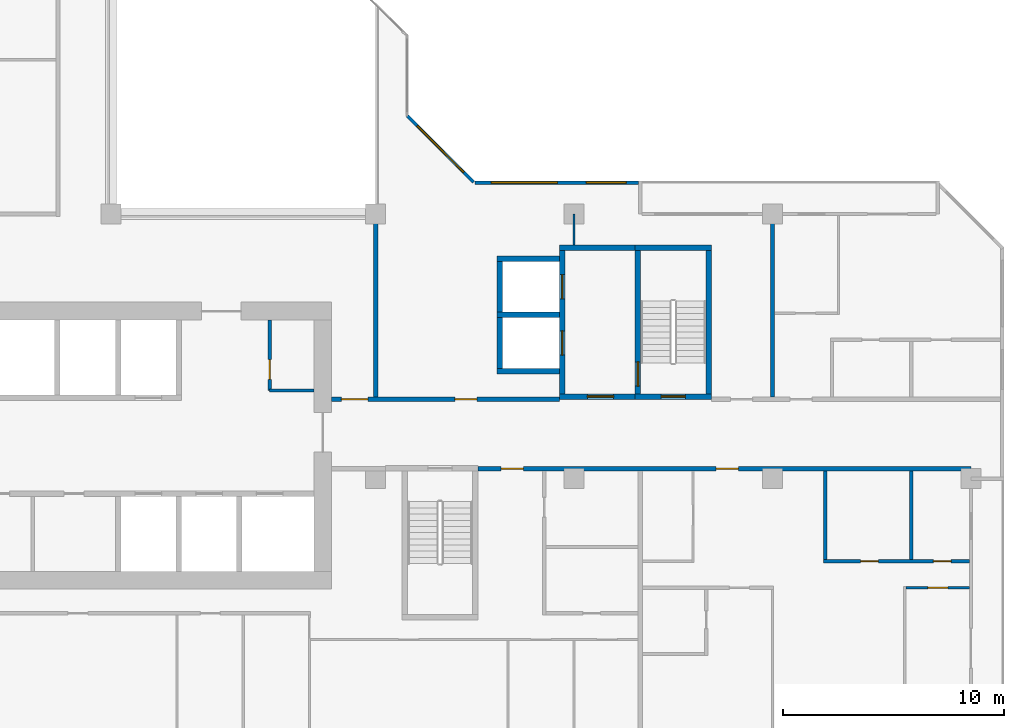
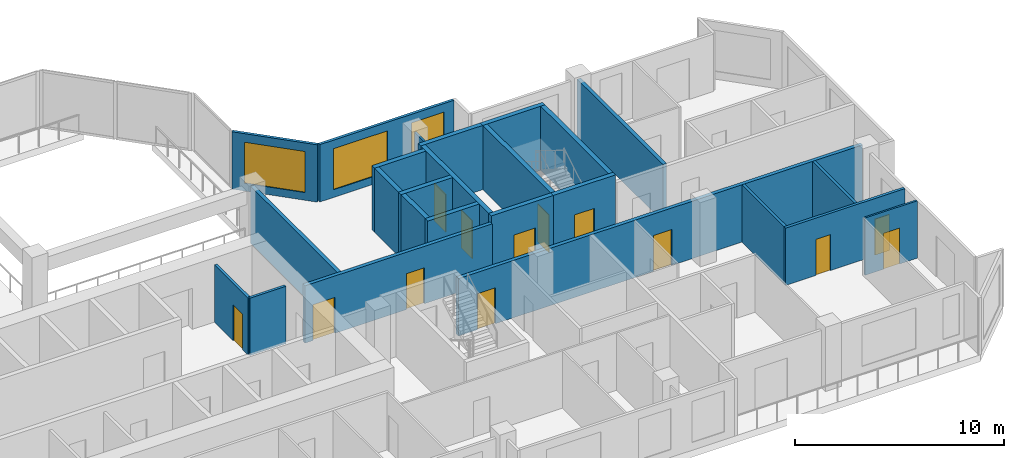
# One storey, part 7 of 15: 25 walls, 13 doors, 3 windows, 16 openings.
"""IFC4 building model written with IfcOpenShell, lengths in metres."""

from ifc_helpers import new_model, si_unit, direction, frame, frame_2d, origin, place, context, subcontext, project, spatial, rectangle, extrude, material, layer, layer_set, type_object, element, fill, save


model = new_model("IFC4")

# Units and contexts
model_context = context("Model", 3, precision=1e-05, world=origin(), true_north=direction((0.0, 1.0)))
body_context = subcontext(model_context, "Body", "Model", "MODEL_VIEW")
ifc_project = project(units=[si_unit("LENGTHUNIT", "METRE"), si_unit("AREAUNIT", "SQUARE_METRE"), si_unit("VOLUMEUNIT", "CUBIC_METRE"), si_unit("PLANEANGLEUNIT", "RADIAN"), si_unit("MASSUNIT", "GRAM", prefix="KILO")], contexts=[model_context])

# Site, building, storey
site_placement = place(None, origin())
site = spatial("IfcSite", under=ifc_project, at=site_placement, CompositionType="ELEMENT")
building_placement = place(site_placement, origin())
building = spatial("IfcBuilding", under=site, at=building_placement, Name="Chenar Terraces", CompositionType="ELEMENT")
storey_placement = place(building_placement, frame((0.0, 0.0, 191.14990234375)))
storey = spatial("IfcBuildingStorey", under=building, at=storey_placement, Name="L44", CompositionType="ELEMENT", Elevation=191.14990234375)

# Wall, opening, door
ifc_material_1 = material(Name="Gypsum board on steel studs", Category="steel")
ifc_layer_1 = layer(ifc_material_1, 0.14990234375)
ifc_layer_set_1 = layer_set([ifc_layer_1], Name="Gypsum board on steel studs")
wall_type_1 = type_object("IfcWallType", Name="Core partition 150 gypsum board", PredefinedType="PARTITIONING", material=ifc_layer_set_1)
wall_1_placement = place(storey_placement, frame((31.199951171875, 16.0, 0.0), z_axis=(0.0, 0.0, 1.0), x_axis=(0.0, 1.0, 0.0)))
wall_1 = element("IfcWall", 1, at=wall_1_placement, inside=storey, type_object=wall_type_1, Name="Core partition CP1 vestibule room west wall", PredefinedType="PARTITIONING", context=body_context, shape_type="SweptSolid", body=[
    extrude(rectangle(XDim=3.199951171875, YDim=0.14990234375, at=frame_2d((1.60009765625, 0.0))), origin(), (0.0, 0.0, 1.0), 3.35009765625),
])
opening_1_placement = place(wall_1_placement, frame((0.5, 0.0, 0.0)))
opening_1 = element("IfcOpeningElement", 2, at=opening_1_placement, cuts=wall_1, Name="Opening DL44-C15", PredefinedType="OPENING", context=body_context, shape_type="SweptSolid", body=[
    extrude(rectangle(XDim=0.89990234375, YDim=2.10009765625, at=frame_2d((0.449951171875, 1.050048828125))), frame((0.0, 0.0849609375, 0.0), z_axis=(0.0, -1.0, 0.0), x_axis=(1.0, 0.0, 0.0)), (0.0, 0.0, 1.0), 0.169921875),
])
ifc_material_2 = material(Name="Steel-framed fire-resisting door leaf", Category="steel")
door_type_1 = type_object("IfcDoorType", Name="Riser fire door FD60 900 x 2100", OperationType="SINGLE_SWING_LEFT", PredefinedType="DOOR", material=ifc_material_2)
door_1_placement = place(opening_1_placement, frame((0.89990234375, 0.0, 0.0), z_axis=(0.0, 0.0, 1.0), x_axis=(-1.0, 0.0, 0.0)))
door_1 = element("IfcDoor", 3, at=door_1_placement, inside=storey, type_object=door_type_1, Name="Core room door DL44-C15", OperationType="SINGLE_SWING_RIGHT", OverallHeight=2.10009765625, OverallWidth=0.89990234375, PredefinedType="DOOR", context=body_context, shape_type="SweptSolid", body=[
    extrude(rectangle(XDim=0.89990234375, YDim=2.10009765625, at=frame_2d((0.449951171875, 1.050048828125))), frame((0.0, 0.02490234375, 0.0), z_axis=(0.0, -1.0, 0.0), x_axis=(1.0, 0.0, 0.0)), (0.0, 0.0, 1.0), 0.050048828125),
])
fill(opening_1, door_1)

# Wall
wall_2_placement = place(storey_placement, frame((31.199951171875, 16.0, 0.0), z_axis=(0.0, 0.0, 1.0), x_axis=(1.0, 0.0, 0.0)))
element("IfcWall", 4, at=wall_2_placement, inside=storey, type_object=wall_type_1, Name="Core partition CP1 vestibule room south wall", PredefinedType="PARTITIONING", context=body_context, shape_type="SweptSolid", body=[
    extrude(rectangle(XDim=2.0, YDim=0.14990234375, at=frame_2d((1.0, 0.0))), origin(), (0.0, 0.0, 1.0), 3.35009765625),
])

# Wall, opening, door
ifc_material_3 = material(Name="Concrete C60/75", Category="concrete")
ifc_layer_2 = layer(ifc_material_3, 0.25)
ifc_layer_set_2 = layer_set([ifc_layer_2], Name="Concrete C60/75")
wall_type_2 = type_object("IfcWallType", Name="Core wall 250 Concrete C60/75", PredefinedType="SHEAR", material=ifc_layer_set_2)
wall_3_placement = place(storey_placement, frame((47.77490234375, 15.72509765625, 0.0), z_axis=(0.0, 0.0, 1.0), x_axis=(1.0, 0.0, 0.0)))
wall_3 = element("IfcWall", 5, at=wall_3_placement, inside=storey, type_object=wall_type_2, Name="Core wall ST3_S L44", PredefinedType="SHEAR", context=body_context, shape_type="SweptSolid", body=[
    extrude(rectangle(XDim=3.4501953125, YDim=0.25, at=frame_2d((1.72509765625, 0.0))), origin(), (0.0, 0.0, 1.0), 3.75),
])
opening_2_placement = place(wall_3_placement, frame((1.175048828125, 0.0, 0.0)))
opening_2 = element("IfcOpeningElement", 6, at=opening_2_placement, cuts=wall_3, Name="Opening DL44-C8", PredefinedType="OPENING", context=body_context, shape_type="SweptSolid", body=[
    extrude(rectangle(XDim=1.10009765625, YDim=2.199951171875, at=frame_2d((0.550048828125, 1.10009765625))), frame((0.0, 0.135009765625, 0.0), z_axis=(0.0, -1.0, 0.0), x_axis=(1.0, 0.0, 0.0)), (0.0, 0.0, 1.0), 0.27001953125),
])
ifc_material_4 = material(Name="Steel-framed fire-resisting door leaf", Category="steel")
door_type_2 = type_object("IfcDoorType", Name="Stair fire door FD60 1100 x 2200", OperationType="SINGLE_SWING_LEFT", PredefinedType="DOOR", material=ifc_material_4)
door_2_placement = place(opening_2_placement, frame((1.10009765625, 0.0, 0.0), z_axis=(0.0, 0.0, 1.0), x_axis=(-1.0, 0.0, 0.0)))
door_2 = element("IfcDoor", 7, at=door_2_placement, inside=storey, type_object=door_type_2, Name="Stair door DL44-C8", OperationType="SINGLE_SWING_LEFT", OverallHeight=2.199951171875, OverallWidth=1.10009765625, PredefinedType="DOOR", context=body_context, shape_type="SweptSolid", body=[
    extrude(rectangle(XDim=1.10009765625, YDim=2.199951171875, at=frame_2d((0.550048828125, 1.10009765625))), frame((0.0, 0.02490234375, 0.0), z_axis=(0.0, -1.0, 0.0), x_axis=(1.0, 0.0, 0.0)), (0.0, 0.0, 1.0), 0.050048828125),
])
fill(opening_2, door_2)

# Wall
wall_4_placement = place(storey_placement, frame((47.77490234375, 22.47509765625, 0.0), z_axis=(0.0, 0.0, 1.0), x_axis=(1.0, 0.0, 0.0)))
element("IfcWall", 8, at=wall_4_placement, inside=storey, type_object=wall_type_2, Name="Core wall ST3_N L44", PredefinedType="SHEAR", context=body_context, shape_type="SweptSolid", body=[
    extrude(rectangle(XDim=3.4501953125, YDim=0.25, at=frame_2d((1.72509765625, 0.0))), origin(), (0.0, 0.0, 1.0), 3.75),
])

# Wall, opening, door
wall_5_placement = place(storey_placement, frame((47.89990234375, 15.85009765625, 0.0), z_axis=(0.0, 0.0, 1.0), x_axis=(0.0, 1.0, 0.0)))
wall_5 = element("IfcWall", 9, at=wall_5_placement, inside=storey, type_object=wall_type_2, Name="Core wall ST3_W L44", PredefinedType="SHEAR", context=body_context, shape_type="SweptSolid", body=[
    extrude(rectangle(XDim=6.5, YDim=0.25, at=frame_2d((3.25, 0.0))), origin(), (0.0, 0.0, 1.0), 3.75),
])
opening_3_placement = place(wall_5_placement, frame((0.35009765625, 0.0, 0.0)))
opening_3 = element("IfcOpeningElement", 10, at=opening_3_placement, cuts=wall_5, Name="Opening DL44-C11", PredefinedType="OPENING", context=body_context, shape_type="SweptSolid", body=[
    extrude(rectangle(XDim=1.10009765625, YDim=2.199951171875, at=frame_2d((0.550048828125, 1.10009765625))), frame((0.0, 0.135009765625, 0.0), z_axis=(0.0, -1.0, 0.0), x_axis=(1.0, 0.0, 0.0)), (0.0, 0.0, 1.0), 0.27001953125),
])
door_3_placement = place(opening_3_placement, frame((1.10009765625, 0.0, 0.0), z_axis=(0.0, 0.0, 1.0), x_axis=(-1.0, 0.0, 0.0)))
door_3 = element("IfcDoor", 11, at=door_3_placement, inside=storey, type_object=door_type_2, Name="Stair door DL44-C11", OperationType="SINGLE_SWING_RIGHT", OverallHeight=2.199951171875, OverallWidth=1.10009765625, PredefinedType="DOOR", context=body_context, shape_type="SweptSolid", body=[
    extrude(rectangle(XDim=1.10009765625, YDim=2.199951171875, at=frame_2d((0.550048828125, 1.10009765625))), frame((0.0, 0.02490234375, 0.0), z_axis=(0.0, -1.0, 0.0), x_axis=(1.0, 0.0, 0.0)), (0.0, 0.0, 1.0), 0.050048828125),
])
fill(opening_3, door_3)

# Wall
wall_6_placement = place(storey_placement, frame((51.10009765625, 15.85009765625, 0.0), z_axis=(0.0, 0.0, 1.0), x_axis=(0.0, 1.0, 0.0)))
element("IfcWall", 12, at=wall_6_placement, inside=storey, type_object=wall_type_2, Name="Core wall ST3_E L44", PredefinedType="SHEAR", context=body_context, shape_type="SweptSolid", body=[
    extrude(rectangle(XDim=6.5, YDim=0.25, at=frame_2d((3.25, 0.0))), origin(), (0.0, 0.0, 1.0), 3.75),
])

# Wall, opening, door
wall_7_placement = place(storey_placement, frame((44.35009765625, 15.72509765625, 0.0), z_axis=(0.0, 0.0, 1.0), x_axis=(1.0, 0.0, 0.0)))
wall_7 = element("IfcWall", 13, at=wall_7_placement, inside=storey, type_object=wall_type_2, Name="Core wall F3_LS L44", PredefinedType="SHEAR", context=body_context, shape_type="SweptSolid", body=[
    extrude(rectangle(XDim=3.4248046875, YDim=0.25, at=frame_2d((1.71240234375, 0.0))), origin(), (0.0, 0.0, 1.0), 3.75),
])
opening_4_placement = place(wall_7_placement, frame((1.25, 0.0, 0.0)))
opening_4 = element("IfcOpeningElement", 14, at=opening_4_placement, cuts=wall_7, Name="Opening DL44-C10", PredefinedType="OPENING", context=body_context, shape_type="SweptSolid", body=[
    extrude(rectangle(XDim=1.199951171875, YDim=2.199951171875, at=frame_2d((0.60009765625, 1.10009765625))), frame((0.0, 0.135009765625, 0.0), z_axis=(0.0, -1.0, 0.0), x_axis=(1.0, 0.0, 0.0)), (0.0, 0.0, 1.0), 0.27001953125),
])
ifc_material_5 = material(Name="Steel-framed fire-resisting door leaf", Category="steel")
door_type_3 = type_object("IfcDoorType", Name="Lobby fire door FD60 1200 x 2200", OperationType="SINGLE_SWING_LEFT", PredefinedType="DOOR", material=ifc_material_5)
door_4_placement = place(opening_4_placement, origin())
door_4 = element("IfcDoor", 15, at=door_4_placement, inside=storey, type_object=door_type_3, Name="Core door DL44-C10", OperationType="SINGLE_SWING_RIGHT", OverallHeight=2.199951171875, OverallWidth=1.199951171875, PredefinedType="DOOR", context=body_context, shape_type="SweptSolid", body=[
    extrude(rectangle(XDim=1.199951171875, YDim=2.199951171875, at=frame_2d((0.60009765625, 1.10009765625))), frame((0.0, 0.02490234375, 0.0), z_axis=(0.0, -1.0, 0.0), x_axis=(1.0, 0.0, 0.0)), (0.0, 0.0, 1.0), 0.050048828125),
])
fill(opening_4, door_4)

# Wall
wall_8_placement = place(storey_placement, frame((44.35009765625, 22.47509765625, 0.0), z_axis=(0.0, 0.0, 1.0), x_axis=(1.0, 0.0, 0.0)))
element("IfcWall", 16, at=wall_8_placement, inside=storey, type_object=wall_type_2, Name="Core wall F3_LN L44", PredefinedType="SHEAR", context=body_context, shape_type="SweptSolid", body=[
    extrude(rectangle(XDim=3.4248046875, YDim=0.25, at=frame_2d((1.71240234375, 0.0))), origin(), (0.0, 0.0, 1.0), 3.75),
])

# Wall, openings, doors
wall_9_placement = place(storey_placement, frame((44.47509765625, 15.85009765625, 0.0), z_axis=(0.0, 0.0, 1.0), x_axis=(0.0, 1.0, 0.0)))
wall_9 = element("IfcWall", 17, at=wall_9_placement, inside=storey, type_object=wall_type_2, Name="Core wall F3_LW L44", PredefinedType="SHEAR", context=body_context, shape_type="SweptSolid", body=[
    extrude(rectangle(XDim=6.5, YDim=0.25, at=frame_2d((3.25, 0.0))), origin(), (0.0, 0.0, 1.0), 3.75),
])
opening_5_placement = place(wall_9_placement, frame((1.75, 0.0, 0.0)))
opening_5 = element("IfcOpeningElement", 18, at=opening_5_placement, cuts=wall_9, Name="Opening DL44-LD8", PredefinedType="OPENING", context=body_context, shape_type="SweptSolid", body=[
    extrude(rectangle(XDim=1.10009765625, YDim=2.199951171875, at=frame_2d((0.550048828125, 1.10009765625))), frame((0.0, 0.135009765625, 0.0), z_axis=(0.0, -1.0, 0.0), x_axis=(1.0, 0.0, 0.0)), (0.0, 0.0, 1.0), 0.27001953125),
])
opening_6_placement = place(wall_9_placement, frame((4.300048828125, 0.0, 0.0)))
opening_6 = element("IfcOpeningElement", 19, at=opening_6_placement, cuts=wall_9, Name="Opening DL44-LD9", PredefinedType="OPENING", context=body_context, shape_type="SweptSolid", body=[
    extrude(rectangle(XDim=1.10009765625, YDim=2.199951171875, at=frame_2d((0.550048828125, 1.10009765625))), frame((0.0, 0.135009765625, 0.0), z_axis=(0.0, -1.0, 0.0), x_axis=(1.0, 0.0, 0.0)), (0.0, 0.0, 1.0), 0.27001953125),
])
ifc_material_6 = material(Name="Stainless steel", Category="steel")
door_type_4 = type_object("IfcDoorType", Name="Lift landing door 1100 x 2200 sliding", OperationType="DOUBLE_DOOR_SLIDING", PredefinedType="DOOR", material=ifc_material_6)
door_5_placement = place(opening_5_placement, origin())
door_5 = element("IfcDoor", 20, at=door_5_placement, inside=storey, type_object=door_type_4, Name="Landing door F3", OperationType="DOUBLE_DOOR_SLIDING", OverallHeight=2.199951171875, OverallWidth=1.10009765625, PredefinedType="DOOR", context=body_context, shape_type="SweptSolid", body=[
    extrude(rectangle(XDim=1.10009765625, YDim=2.199951171875, at=frame_2d((0.550048828125, 1.10009765625))), frame((0.0, 0.02490234375, 0.0), z_axis=(0.0, -1.0, 0.0), x_axis=(1.0, 0.0, 0.0)), (0.0, 0.0, 1.0), 0.050048828125),
])
fill(opening_5, door_5)
door_6_placement = place(opening_6_placement, origin())
door_6 = element("IfcDoor", 21, at=door_6_placement, inside=storey, type_object=door_type_4, Name="Landing door F4", OperationType="DOUBLE_DOOR_SLIDING", OverallHeight=2.199951171875, OverallWidth=1.10009765625, PredefinedType="DOOR", context=body_context, shape_type="SweptSolid", body=[
    extrude(rectangle(XDim=1.10009765625, YDim=2.199951171875, at=frame_2d((0.550048828125, 1.10009765625))), frame((0.0, 0.02490234375, 0.0), z_axis=(0.0, -1.0, 0.0), x_axis=(1.0, 0.0, 0.0)), (0.0, 0.0, 1.0), 0.050048828125),
])
fill(opening_6, door_6)

# Walls
for number, where, z_axis, x_axis, name in (
    (22, (41.5, 16.875, 0.0), (0.0, 0.0, 1.0), (1.0, 0.0, 0.0), "Core wall F3_SS L44"),
    (23, (41.5, 19.425048828125, 0.0), (0.0, 0.0, 1.0), (1.0, 0.0, 0.0), "Core wall F3_SM L44"),
    (24, (41.5, 21.97509765625, 0.0), (0.0, 0.0, 1.0), (1.0, 0.0, 0.0), "Core wall F4_SN L44"),
):
    element("IfcWall", number, at=place(storey_placement, frame(where, z_axis=z_axis, x_axis=x_axis)), inside=storey, type_object=wall_type_2, Name=name, PredefinedType="SHEAR", context=body_context, shape_type="SweptSolid", body=[
        extrude(rectangle(XDim=2.85009765625, YDim=0.25, at=frame_2d((1.425048828125, 0.0))), origin(), (0.0, 0.0, 1.0), 3.75),
    ])
for number, where, z_axis, x_axis, name in (
    (25, (41.625, 17.0, 0.0), (0.0, 0.0, 1.0), (0.0, 1.0, 0.0), "Core wall F3_SW L44"),
    (26, (41.625, 19.550048828125, 0.0), (0.0, 0.0, 1.0), (0.0, 1.0, 0.0), "Core wall F4_SW L44"),
):
    element("IfcWall", number, at=place(storey_placement, frame(where, z_axis=z_axis, x_axis=x_axis)), inside=storey, type_object=wall_type_2, Name=name, PredefinedType="SHEAR", context=body_context, shape_type="SweptSolid", body=[
        extrude(rectangle(XDim=2.300048828125, YDim=0.25, at=frame_2d((1.14990234375, 0.0))), origin(), (0.0, 0.0, 1.0), 3.75),
    ])

# Wall, openings, doors
ifc_material_7 = material(Name="Gypsum board on steel studs with fire boards", Category="steel")
ifc_layer_3 = layer(ifc_material_7, 0.199951171875)
ifc_layer_set_3 = layer_set([ifc_layer_3], Name="Gypsum board on steel studs with fire boards")
wall_type_3 = type_object("IfcWallType", Name="Corridor wall 200", PredefinedType="PARTITIONING", material=ifc_layer_set_3)
wall_10_placement = place(storey_placement, frame((34.0, 15.60009765625, 0.0), z_axis=(0.0, 0.0, 1.0), x_axis=(1.0, 0.0, 0.0)))
wall_10 = element("IfcWall", 27, at=wall_10_placement, inside=storey, type_object=wall_type_3, Name="Partition L44-060", PredefinedType="PARTITIONING", context=body_context, shape_type="SweptSolid", body=[
    extrude(rectangle(XDim=10.35009765625, YDim=0.199951171875, at=frame_2d((5.175048828125, 0.0))), origin(), (0.0, 0.0, 1.0), 3.35009765625),
])
opening_7_placement = place(wall_10_placement, frame((5.60009765625, 0.0, 0.0)))
opening_7 = element("IfcOpeningElement", 28, at=opening_7_placement, cuts=wall_10, Name="Opening DL44-3", PredefinedType="OPENING", context=body_context, shape_type="SweptSolid", body=[
    extrude(rectangle(XDim=1.0, YDim=2.10009765625, at=frame_2d((0.5, 1.050048828125))), frame((0.0, 0.10986328125, 0.0), z_axis=(0.0, -1.0, 0.0), x_axis=(1.0, 0.0, 0.0)), (0.0, 0.0, 1.0), 0.219970703125),
])
opening_8_placement = place(wall_10_placement, frame((0.449951171875, 0.0, 0.0)))
opening_8 = element("IfcOpeningElement", 29, at=opening_8_placement, cuts=wall_10, Name="Opening DL44-38", PredefinedType="OPENING", context=body_context, shape_type="SweptSolid", body=[
    extrude(rectangle(XDim=1.199951171875, YDim=2.10009765625, at=frame_2d((0.60009765625, 1.050048828125))), frame((0.0, 0.10986328125, 0.0), z_axis=(0.0, -1.0, 0.0), x_axis=(1.0, 0.0, 0.0)), (0.0, 0.0, 1.0), 0.219970703125),
])
ifc_material_8 = material(Name="Steel-framed fire-resisting door leaf", Category="steel")
door_type_5 = type_object("IfcDoorType", Name="Fire door FD60 1000 x 2100", OperationType="SINGLE_SWING_LEFT", PredefinedType="DOOR", material=ifc_material_8)
door_7_placement = place(opening_7_placement, origin())
door_7 = element("IfcDoor", 30, at=door_7_placement, inside=storey, type_object=door_type_5, Name="Door DL44-3", OperationType="SINGLE_SWING_RIGHT", OverallHeight=2.10009765625, OverallWidth=1.0, PredefinedType="DOOR", context=body_context, shape_type="SweptSolid", body=[
    extrude(rectangle(XDim=1.0, YDim=2.10009765625, at=frame_2d((0.5, 1.050048828125))), frame((0.0, 0.02490234375, 0.0), z_axis=(0.0, -1.0, 0.0), x_axis=(1.0, 0.0, 0.0)), (0.0, 0.0, 1.0), 0.050048828125),
])
fill(opening_7, door_7)
ifc_material_9 = material(Name="Steel-framed fire-resisting door leaf", Category="steel")
door_type_6 = type_object("IfcDoorType", Name="Fire door FD60 1200 x 2100", OperationType="SINGLE_SWING_LEFT", PredefinedType="DOOR", material=ifc_material_9)
door_8_placement = place(opening_8_placement, origin())
door_8 = element("IfcDoor", 31, at=door_8_placement, inside=storey, type_object=door_type_6, Name="Door DL44-38", OperationType="SINGLE_SWING_RIGHT", OverallHeight=2.10009765625, OverallWidth=1.199951171875, PredefinedType="DOOR", context=body_context, shape_type="SweptSolid", body=[
    extrude(rectangle(XDim=1.199951171875, YDim=2.10009765625, at=frame_2d((0.60009765625, 1.050048828125))), frame((0.0, 0.02490234375, 0.0), z_axis=(0.0, -1.0, 0.0), x_axis=(1.0, 0.0, 0.0)), (0.0, 0.0, 1.0), 0.050048828125),
])
fill(opening_8, door_8)

# Wall
wall_11_placement = place(storey_placement, frame((36.0, 15.699951171875, 0.0), z_axis=(0.0, 0.0, 1.0), x_axis=(0.0, 1.0, 0.0)))
element("IfcWall", 32, at=wall_11_placement, inside=storey, type_object=wall_type_3, Name="Partition L44-061", PredefinedType="PARTITIONING", context=body_context, shape_type="SweptSolid", body=[
    extrude(rectangle(XDim=8.300048828125, YDim=0.199951171875, at=frame_2d((4.14990234375, 0.0))), origin(), (0.0, 0.0, 1.0), 3.35009765625),
])

# Wall, openings, doors
wall_12_placement = place(storey_placement, frame((40.64990234375, 12.449951171875, 0.0), z_axis=(0.0, 0.0, 1.0), x_axis=(1.0, 0.0, 0.0)))
wall_12 = element("IfcWall", 33, at=wall_12_placement, inside=storey, type_object=wall_type_3, Name="Partition L44-062", PredefinedType="PARTITIONING", context=body_context, shape_type="SweptSolid", body=[
    extrude(rectangle(XDim=22.35009765625, YDim=0.199951171875, at=frame_2d((11.175048828125, 0.0))), origin(), (0.0, 0.0, 1.0), 3.35009765625),
])
opening_9_placement = place(wall_12_placement, frame((10.800048828125, 0.0, 0.0)))
opening_9 = element("IfcOpeningElement", 34, at=opening_9_placement, cuts=wall_12, Name="Opening DL44-14", PredefinedType="OPENING", context=body_context, shape_type="SweptSolid", body=[
    extrude(rectangle(XDim=1.0, YDim=2.10009765625, at=frame_2d((0.5, 1.050048828125))), frame((0.0, 0.10986328125, 0.0), z_axis=(0.0, -1.0, 0.0), x_axis=(1.0, 0.0, 0.0)), (0.0, 0.0, 1.0), 0.219970703125),
])
opening_10_placement = place(wall_12_placement, frame((1.050048828125, 0.0, 0.0)))
opening_10 = element("IfcOpeningElement", 35, at=opening_10_placement, cuts=wall_12, Name="Opening DL44-53", PredefinedType="OPENING", context=body_context, shape_type="SweptSolid", body=[
    extrude(rectangle(XDim=1.0, YDim=2.10009765625, at=frame_2d((0.5, 1.050048828125))), frame((0.0, 0.10986328125, 0.0), z_axis=(0.0, -1.0, 0.0), x_axis=(1.0, 0.0, 0.0)), (0.0, 0.0, 1.0), 0.219970703125),
])
ifc_material_10 = material(Name="Steel-framed fire-resisting door leaf", Category="steel")
door_type_7 = type_object("IfcDoorType", Name="Fire door FD30S 1000 x 2100", OperationType="SINGLE_SWING_LEFT", PredefinedType="DOOR", material=ifc_material_10)
door_9_placement = place(opening_9_placement, frame((1.0, 0.0, 0.0), z_axis=(0.0, 0.0, 1.0), x_axis=(-1.0, 0.0, 0.0)))
door_9 = element("IfcDoor", 36, at=door_9_placement, inside=storey, type_object=door_type_7, Name="Door DL44-14", OperationType="SINGLE_SWING_RIGHT", OverallHeight=2.10009765625, OverallWidth=1.0, PredefinedType="DOOR", context=body_context, shape_type="SweptSolid", body=[
    extrude(rectangle(XDim=1.0, YDim=2.10009765625, at=frame_2d((0.5, 1.050048828125))), frame((0.0, 0.02490234375, 0.0), z_axis=(0.0, -1.0, 0.0), x_axis=(1.0, 0.0, 0.0)), (0.0, 0.0, 1.0), 0.050048828125),
])
fill(opening_9, door_9)
door_10_placement = place(opening_10_placement, origin())
door_10 = element("IfcDoor", 37, at=door_10_placement, inside=storey, type_object=door_type_7, Name="Door DL44-53", OperationType="SINGLE_SWING_LEFT", OverallHeight=2.10009765625, OverallWidth=1.0, PredefinedType="DOOR", context=body_context, shape_type="SweptSolid", body=[
    extrude(rectangle(XDim=1.0, YDim=2.10009765625, at=frame_2d((0.5, 1.050048828125))), frame((0.0, 0.02490234375, 0.0), z_axis=(0.0, -1.0, 0.0), x_axis=(1.0, 0.0, 0.0)), (0.0, 0.0, 1.0), 0.050048828125),
])
fill(opening_10, door_10)

# Wall, openings, windows
ifc_material_11 = material(Name="Aluminium framed glazing", Category="aluminium")
ifc_layer_4 = layer(ifc_material_11, 0.14990234375)
ifc_layer_set_4 = layer_set([ifc_layer_4], Name="Aluminium framed glazing")
wall_type_4 = type_object("IfcWallType", Name="Glazed flush facade wall 150", PredefinedType="SOLIDWALL", material=ifc_layer_set_4)
wall_13_placement = place(storey_placement, frame((47.925048828125, 25.425048828125, 0.0), z_axis=(0.0, 0.0, 1.0), x_axis=(-1.0, 0.0, 0.0)))
wall_13 = element("IfcWall", 38, at=wall_13_placement, inside=storey, type_object=wall_type_4, Name="Glazed flush facade wall", PredefinedType="SOLIDWALL", context=body_context, shape_type="SweptSolid", body=[
    extrude(rectangle(XDim=7.425048828125, YDim=0.14990234375, at=frame_2d((3.71240234375, 0.0))), origin(), (0.0, 0.0, 1.0), 3.35009765625),
])
opening_11_placement = place(wall_13_placement, frame((0.5625, 0.0, 0.449951171875)))
opening_11 = element("IfcOpeningElement", 39, at=opening_11_placement, cuts=wall_13, Name="Opening W180x240", PredefinedType="OPENING", context=body_context, shape_type="SweptSolid", body=[
    extrude(rectangle(XDim=1.800048828125, YDim=2.39990234375, at=frame_2d((0.89990234375, 1.199951171875))), frame((0.0, 0.0849609375, 0.0), z_axis=(0.0, -1.0, 0.0), x_axis=(1.0, 0.0, 0.0)), (0.0, 0.0, 1.0), 0.169921875),
])
opening_12_placement = place(wall_13_placement, frame((3.675048828125, 0.0, 0.449951171875)))
opening_12 = element("IfcOpeningElement", 40, at=opening_12_placement, cuts=wall_13, Name="Opening W300x240", PredefinedType="OPENING", context=body_context, shape_type="SweptSolid", body=[
    extrude(rectangle(XDim=3.0, YDim=2.39990234375, at=frame_2d((1.5, 1.199951171875))), frame((0.0, 0.0849609375, 0.0), z_axis=(0.0, -1.0, 0.0), x_axis=(1.0, 0.0, 0.0)), (0.0, 0.0, 1.0), 0.169921875),
])
ifc_material_12 = material(Name="Low emissivity double glazing, aluminium frame", Category="aluminium")
window_type_1 = type_object("IfcWindowType", Name="Fixed light 1800 x 2400", PartitioningType="SINGLE_PANEL", PredefinedType="WINDOW", material=ifc_material_12)
window_1_placement = place(opening_11_placement, origin())
window_1 = element("IfcWindow", 41, at=window_1_placement, inside=storey, type_object=window_type_1, Name="Window", OverallHeight=2.39990234375, OverallWidth=1.800048828125, PartitioningType="SINGLE_PANEL", PredefinedType="WINDOW", context=body_context, shape_type="SweptSolid", body=[
    extrude(rectangle(XDim=1.800048828125, YDim=2.39990234375, at=frame_2d((0.89990234375, 1.199951171875))), frame((0.0, 0.030029296875, 0.0), z_axis=(0.0, -1.0, 0.0), x_axis=(1.0, 0.0, 0.0)), (0.0, 0.0, 1.0), 0.06005859375),
])
fill(opening_11, window_1)
ifc_material_13 = material(Name="Low emissivity double glazing, aluminium frame", Category="aluminium")
window_type_2 = type_object("IfcWindowType", Name="Fixed light 3000 x 2400", PartitioningType="SINGLE_PANEL", PredefinedType="WINDOW", material=ifc_material_13)
window_2_placement = place(opening_12_placement, origin())
window_2 = element("IfcWindow", 42, at=window_2_placement, inside=storey, type_object=window_type_2, Name="Window", OverallHeight=2.39990234375, OverallWidth=3.0, PartitioningType="SINGLE_PANEL", PredefinedType="WINDOW", context=body_context, shape_type="SweptSolid", body=[
    extrude(rectangle(XDim=3.0, YDim=2.39990234375, at=frame_2d((1.5, 1.199951171875))), frame((0.0, 0.030029296875, 0.0), z_axis=(0.0, -1.0, 0.0), x_axis=(1.0, 0.0, 0.0)), (0.0, 0.0, 1.0), 0.06005859375),
])
fill(opening_12, window_2)

# Wall
ifc_material_14 = material(Name="Gypsum board on steel studs", Category="steel")
ifc_layer_5 = layer(ifc_material_14, 0.10009765625)
ifc_layer_set_5 = layer_set([ifc_layer_5], Name="Gypsum board on steel studs")
wall_type_5 = type_object("IfcWallType", Name="Gypsum partition 100", PredefinedType="PARTITIONING", material=ifc_layer_set_5)
wall_14_placement = place(storey_placement, frame((45.0, 22.60009765625, 0.0), z_axis=(0.0, 0.0, 1.0), x_axis=(0.0, 1.0, 0.0)))
element("IfcWall", 43, at=wall_14_placement, inside=storey, type_object=wall_type_5, Name="Partition L44-068", PredefinedType="PARTITIONING", context=body_context, shape_type="SweptSolid", body=[
    extrude(rectangle(XDim=1.39990234375, YDim=0.10009765625, at=frame_2d((0.699951171875, 0.0))), origin(), (0.0, 0.0, 1.0), 3.35009765625),
])

# Wall, opening, door
wall_15_placement = place(storey_placement, frame((60.050048828125, 7.050048828125, 0.0), z_axis=(0.0, 0.0, 1.0), x_axis=(1.0, 0.0, 0.0)))
wall_15 = element("IfcWall", 44, at=wall_15_placement, inside=storey, type_object=wall_type_5, Name="Partition L44-085", PredefinedType="PARTITIONING", context=body_context, shape_type="SweptSolid", body=[
    extrude(rectangle(XDim=2.8759765625, YDim=0.10009765625, at=frame_2d((1.43798828125, 0.0))), origin(), (0.0, 0.0, 1.0), 3.35009765625),
])
opening_13_placement = place(wall_15_placement, frame((1.0, 0.0, 0.0)))
opening_13 = element("IfcOpeningElement", 45, at=opening_13_placement, cuts=wall_15, Name="Opening DL44-9", PredefinedType="OPENING", context=body_context, shape_type="SweptSolid", body=[
    extrude(rectangle(XDim=0.89990234375, YDim=2.10009765625, at=frame_2d((0.449951171875, 1.050048828125))), frame((0.0, 0.06005859375, 0.0), z_axis=(0.0, -1.0, 0.0), x_axis=(1.0, 0.0, 0.0)), (0.0, 0.0, 1.0), 0.1201171875),
])
ifc_material_15 = material(Name="Veneered timber door leaf", Category="wood")
door_type_8 = type_object("IfcDoorType", Name="Door 900 x 2100", OperationType="SINGLE_SWING_LEFT", PredefinedType="DOOR", material=ifc_material_15)
door_11_placement = place(opening_13_placement, frame((0.89990234375, 0.0, 0.0), z_axis=(0.0, 0.0, 1.0), x_axis=(-1.0, 0.0, 0.0)))
door_11 = element("IfcDoor", 46, at=door_11_placement, inside=storey, type_object=door_type_8, Name="Door DL44-9", OperationType="SINGLE_SWING_LEFT", OverallHeight=2.10009765625, OverallWidth=0.89990234375, PredefinedType="DOOR", context=body_context, shape_type="SweptSolid", body=[
    extrude(rectangle(XDim=0.89990234375, YDim=2.10009765625, at=frame_2d((0.449951171875, 1.050048828125))), frame((0.0, 0.02490234375, 0.0), z_axis=(0.0, -1.0, 0.0), x_axis=(1.0, 0.0, 0.0)), (0.0, 0.0, 1.0), 0.050048828125),
])
fill(opening_13, door_11)

# Wall, opening, window
ifc_material_16 = material(Name="Terracotta cladding on insulated backing", Category="masonry")
ifc_layer_6 = layer(ifc_material_16, 0.14990234375)
ifc_layer_set_6 = layer_set([ifc_layer_6], Name="Terracotta cladding on insulated backing")
wall_type_6 = type_object("IfcWallType", Name="Terracotta rainscreen wall 150", PredefinedType="SOLIDWALL", material=ifc_layer_set_6)
wall_16_placement = place(storey_placement, frame((40.447021484375, 25.447021484375, 0.0), z_axis=(0.0, 0.0, 1.0), x_axis=(-0.707106781187, 0.707106781187, 0.0)))
wall_16 = element("IfcWall", 47, at=wall_16_placement, inside=storey, type_object=wall_type_6, Name="Terracotta rainscreen wall", PredefinedType="SOLIDWALL", context=body_context, shape_type="SweptSolid", body=[
    extrude(rectangle(XDim=4.24267578125, YDim=0.14990234375, at=frame_2d((2.121337890625, 0.0))), origin(), (0.0, 0.0, 1.0), 3.35009765625),
])
opening_14_placement = place(wall_16_placement, frame((0.621337890625, 0.0, 0.449951171875)))
opening_14 = element("IfcOpeningElement", 48, at=opening_14_placement, cuts=wall_16, Name="Opening W300x240", PredefinedType="OPENING", context=body_context, shape_type="SweptSolid", body=[
    extrude(rectangle(XDim=3.0, YDim=2.39990234375, at=frame_2d((1.5, 1.199951171875))), frame((0.0, 0.0849609375, 0.0), z_axis=(0.0, -1.0, 0.0), x_axis=(1.0, 0.0, 0.0)), (0.0, 0.0, 1.0), 0.169921875),
])
window_3_placement = place(opening_14_placement, origin())
window_3 = element("IfcWindow", 49, at=window_3_placement, inside=storey, type_object=window_type_2, Name="Window", OverallHeight=2.39990234375, OverallWidth=3.0, PartitioningType="SINGLE_PANEL", PredefinedType="WINDOW", context=body_context, shape_type="SweptSolid", body=[
    extrude(rectangle(XDim=3.0, YDim=2.39990234375, at=frame_2d((1.5, 1.199951171875))), frame((0.0, 0.030029296875, 0.0), z_axis=(0.0, -1.0, 0.0), x_axis=(1.0, 0.0, 0.0)), (0.0, 0.0, 1.0), 0.06005859375),
])
fill(opening_14, window_3)

# Wall
ifc_material_17 = material(Name="Twin gypsum board on steel studs with mineral wool", Category="steel")
ifc_layer_7 = layer(ifc_material_17, 0.199951171875)
ifc_layer_set_7 = layer_set([ifc_layer_7], Name="Twin gypsum board on steel studs with mineral wool")
wall_type_7 = type_object("IfcWallType", Name="Unit demising wall 200", PredefinedType="PARTITIONING", material=ifc_layer_set_7)
wall_17_placement = place(storey_placement, frame((54.0, 15.699951171875, 0.0), z_axis=(0.0, 0.0, 1.0), x_axis=(0.0, 1.0, 0.0)))
element("IfcWall", 50, at=wall_17_placement, inside=storey, type_object=wall_type_7, Name="Partition L44-077", PredefinedType="PARTITIONING", context=body_context, shape_type="SweptSolid", body=[
    extrude(rectangle(XDim=8.22607421875, YDim=0.199951171875, at=frame_2d((4.113037109375, 0.0))), origin(), (0.0, 0.0, 1.0), 3.35009765625),
])

# Wall, openings, doors
ifc_material_18 = material(Name="Moisture-resistant gypsum board on steel studs", Category="steel")
ifc_layer_8 = layer(ifc_material_18, 0.14990234375)
ifc_layer_set_8 = layer_set([ifc_layer_8], Name="Moisture-resistant gypsum board on steel studs")
wall_type_8 = type_object("IfcWallType", Name="Wet-room partition 150", PredefinedType="PARTITIONING", material=ifc_layer_set_8)
wall_18_placement = place(storey_placement, frame((56.324951171875, 8.25, 0.0), z_axis=(0.0, 0.0, 1.0), x_axis=(1.0, 0.0, 0.0)))
wall_18 = element("IfcWall", 51, at=wall_18_placement, inside=storey, type_object=wall_type_8, Name="Partition L44-079", PredefinedType="PARTITIONING", context=body_context, shape_type="SweptSolid", body=[
    extrude(rectangle(XDim=6.60107421875, YDim=0.14990234375, at=frame_2d((3.300537109375, 0.0))), origin(), (0.0, 0.0, 1.0), 3.35009765625),
])
opening_15_placement = place(wall_18_placement, frame((1.675048828125, 0.0, 0.0)))
opening_15 = element("IfcOpeningElement", 52, at=opening_15_placement, cuts=wall_18, Name="Opening DL44-8", PredefinedType="OPENING", context=body_context, shape_type="SweptSolid", body=[
    extrude(rectangle(XDim=0.800048828125, YDim=2.10009765625, at=frame_2d((0.39990234375, 1.050048828125))), frame((0.0, 0.0849609375, 0.0), z_axis=(0.0, -1.0, 0.0), x_axis=(1.0, 0.0, 0.0)), (0.0, 0.0, 1.0), 0.169921875),
])
opening_16_placement = place(wall_18_placement, frame((4.97509765625, 0.0, 0.0)))
opening_16 = element("IfcOpeningElement", 53, at=opening_16_placement, cuts=wall_18, Name="Opening DL44-13", PredefinedType="OPENING", context=body_context, shape_type="SweptSolid", body=[
    extrude(rectangle(XDim=0.800048828125, YDim=2.10009765625, at=frame_2d((0.39990234375, 1.050048828125))), frame((0.0, 0.0849609375, 0.0), z_axis=(0.0, -1.0, 0.0), x_axis=(1.0, 0.0, 0.0)), (0.0, 0.0, 1.0), 0.169921875),
])
ifc_material_19 = material(Name="Veneered timber door leaf", Category="wood")
door_type_9 = type_object("IfcDoorType", Name="Door 800 x 2100", OperationType="SINGLE_SWING_LEFT", PredefinedType="DOOR", material=ifc_material_19)
door_12_placement = place(opening_15_placement, origin())
door_12 = element("IfcDoor", 54, at=door_12_placement, inside=storey, type_object=door_type_9, Name="Door DL44-8", OperationType="SINGLE_SWING_RIGHT", OverallHeight=2.10009765625, OverallWidth=0.800048828125, PredefinedType="DOOR", context=body_context, shape_type="SweptSolid", body=[
    extrude(rectangle(XDim=0.800048828125, YDim=2.10009765625, at=frame_2d((0.39990234375, 1.050048828125))), frame((0.0, 0.02490234375, 0.0), z_axis=(0.0, -1.0, 0.0), x_axis=(1.0, 0.0, 0.0)), (0.0, 0.0, 1.0), 0.050048828125),
])
fill(opening_15, door_12)
door_13_placement = place(opening_16_placement, origin())
door_13 = element("IfcDoor", 55, at=door_13_placement, inside=storey, type_object=door_type_9, Name="Door DL44-13", OperationType="SINGLE_SWING_RIGHT", OverallHeight=2.10009765625, OverallWidth=0.800048828125, PredefinedType="DOOR", context=body_context, shape_type="SweptSolid", body=[
    extrude(rectangle(XDim=0.800048828125, YDim=2.10009765625, at=frame_2d((0.39990234375, 1.050048828125))), frame((0.0, 0.02490234375, 0.0), z_axis=(0.0, -1.0, 0.0), x_axis=(1.0, 0.0, 0.0)), (0.0, 0.0, 1.0), 0.050048828125),
])
fill(opening_16, door_13)

# Walls
for number, where, z_axis, x_axis, name in (
    (56, (56.39990234375, 8.324951171875, 0.0), (0.0, 0.0, 1.0), (0.0, 1.0, 0.0), "Partition L44-080"),
    (57, (60.300048828125, 8.324951171875, 0.0), (0.0, 0.0, 1.0), (0.0, 1.0, 0.0), "Partition L44-086"),
):
    element("IfcWall", number, at=place(storey_placement, frame(where, z_axis=z_axis, x_axis=x_axis)), inside=storey, type_object=wall_type_8, Name=name, PredefinedType="PARTITIONING", context=body_context, shape_type="SweptSolid", body=[
        extrude(rectangle(XDim=4.025146484375, YDim=0.14990234375, at=frame_2d((2.0126953125, 0.0))), origin(), (0.0, 0.0, 1.0), 3.35009765625),
    ])

save(model, "model.ifc")
